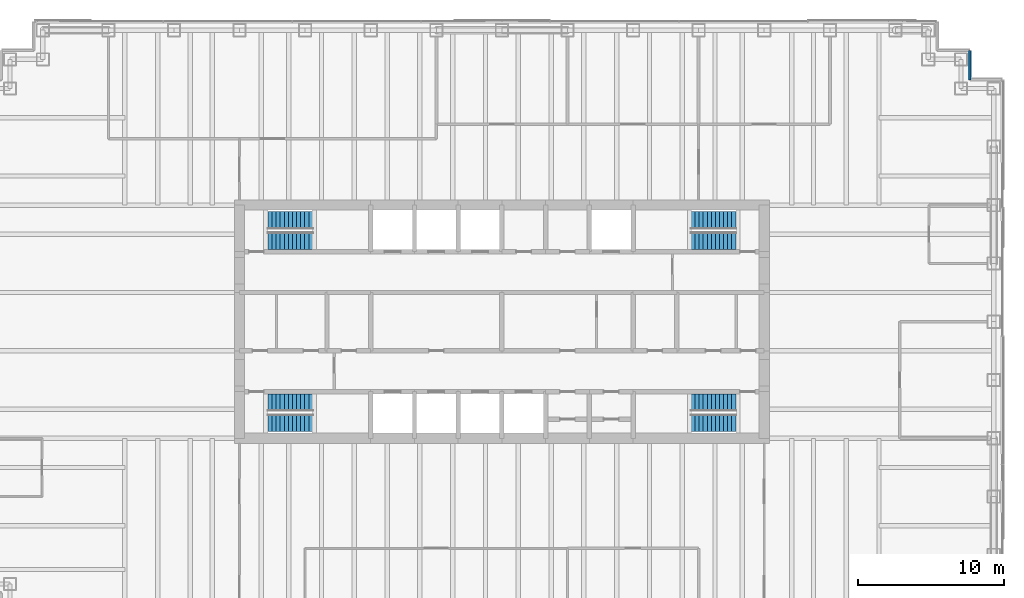
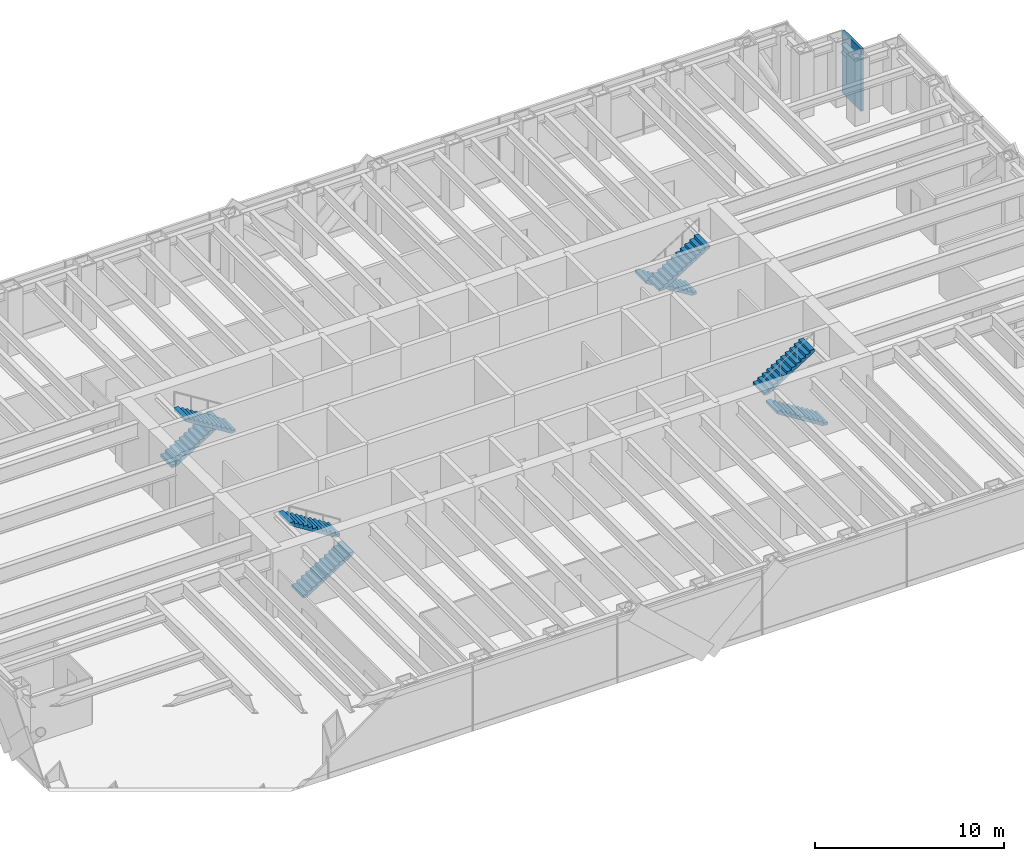
# One storey, part 16 of 17: 8 stair flights, 1 wall, 4 elements without a shape of their own.
"""IFC4 building model written with IfcOpenShell, lengths in metres."""

from ifc_helpers import new_model, si_unit, direction, frame, frame_2d, origin, place, context, subcontext, project, spatial, polyline, rectangle, outline, extrude, material, layer, layer_set, type_object, element, aggregate, save


model = new_model("IFC4")

# Units and contexts
model_context = context("Model", 3, precision=1e-05, world=origin(), true_north=direction((0.0, 1.0)))
body_context = subcontext(model_context, "Body", "Model", "MODEL_VIEW")
ifc_project = project(units=[si_unit("LENGTHUNIT", "METRE"), si_unit("AREAUNIT", "SQUARE_METRE"), si_unit("VOLUMEUNIT", "CUBIC_METRE"), si_unit("PLANEANGLEUNIT", "RADIAN"), si_unit("MASSUNIT", "GRAM", prefix="KILO")], contexts=[model_context])

# Site, building, storey
site_placement = place(None, origin())
site = spatial("IfcSite", under=ifc_project, at=site_placement, CompositionType="ELEMENT")
building_placement = place(site_placement, origin())
building = spatial("IfcBuilding", under=site, at=building_placement, Name="Rheinbord Bourse Tower", CompositionType="ELEMENT")
storey_placement = place(building_placement, frame((0.0, 0.0, 304.699951171875)))
storey = spatial("IfcBuildingStorey", under=building, at=storey_placement, Name="L69", CompositionType="ELEMENT", Elevation=304.699951171875)

# Wall
ifc_material_1 = material(Name="Black metal rainscreen panel", Category="aluminium")
ifc_layer = layer(ifc_material_1, 0.14990234375)
ifc_layer_set = layer_set([ifc_layer], Name="CORNER PIER CLADDING 150")
wall_type = type_object("IfcWallType", Name="CORNER PIER CLADDING 150", PredefinedType="ELEMENTEDWALL", material=ifc_layer_set)
wall_placement = place(storey_placement, frame((68.10009765625, 40.60009765625, 0.0), z_axis=(0.0, 0.0, 1.0), x_axis=(0.0, 1.0, 0.0)))
element("IfcWall", 1, at=wall_placement, inside=storey, type_object=wall_type, Name="Corner pier cladding L69 8", PredefinedType="ELEMENTEDWALL", context=body_context, shape_type="SweptSolid", body=[
    extrude(rectangle(XDim=2.0, YDim=0.14990234375, at=frame_2d((1.0, 0.0))), origin(), (0.0, 0.0, 1.0), 4.0400390625),
])

# Stair, stair flights
ifc_material_2 = material(Name="Concrete C30/37", Category="concrete")
stair_type = type_object("IfcStairType", Name="CORE STAIR HALF TURN 4200", PredefinedType="HALF_TURN_STAIR", material=ifc_material_2)
stair_1_placement = place(storey_placement, origin())
stair_1 = element("IfcStair", 2, at=stair_1_placement, inside=storey, type_object=stair_type, Name="Stair ST1 L69, type CS6", PredefinedType="HALF_TURN_STAIR")
ifc_material_3 = material(Name="Concrete C30/37", Category="concrete")
stair_flight_type = type_object("IfcStairFlightType", Name="CORE STAIR FLIGHT 1200, 12 RISERS", PredefinedType="STRAIGHT", material=ifc_material_3)
stair_flight_1_placement = place(storey_placement, frame((19.949951171875, 17.050048828125, 0.0), z_axis=(0.0, 0.0, 1.0), x_axis=(1.0, 0.0, 0.0)))
stair_flight_1 = element("IfcStairFlight", 3, at=stair_flight_1_placement, type_object=stair_flight_type, Name="STAIR L69 ST1 F1", NumberOfRisers=12, NumberOfTreads=11, PredefinedType="STRAIGHT", RiserHeight=0.175, TreadLength=0.28, context=body_context, shape_type="SweptSolid", body=[
    extrude(outline(polyline([(0.0, 0.0), (0.0, 0.175048828125), (0.280029296875, 0.175048828125), (0.280029296875, 0.35009765625), (0.56005859375, 0.35009765625), (0.56005859375, 0.52490234375), (0.840087890625, 0.52490234375), (0.840087890625, 0.699951171875), (1.1201171875, 0.699951171875), (1.1201171875, 0.875), (1.39990234375, 0.875), (1.39990234375, 1.050048828125), (1.679931640625, 1.050048828125), (1.679931640625, 1.22509765625), (1.9599609375, 1.22509765625), (1.9599609375, 1.39990234375), (2.239990234375, 1.39990234375), (2.239990234375, 1.574951171875), (2.52001953125, 1.574951171875), (2.52001953125, 1.75), (2.800048828125, 1.75), (2.800048828125, 1.925048828125), (3.080078125, 1.925048828125), (3.080078125, 2.10009765625), (3.080078125, 1.748291015625), (0.28271484375, 0.0), (0.0, 0.0)])), frame((0.0, 0.60009765625, 0.0), z_axis=(0.0, -1.0, 0.0), x_axis=(1.0, 0.0, 0.0)), (0.0, 0.0, 1.0), 1.199951171875),
])
stair_flight_2_placement = place(storey_placement, frame((23.030029296875, 18.449951171875, 2.10009765625), z_axis=(0.0, 0.0, 1.0), x_axis=(-1.0, 0.0, 0.0)))
stair_flight_2 = element("IfcStairFlight", 4, at=stair_flight_2_placement, type_object=stair_flight_type, Name="STAIR L69 ST1 F2", NumberOfRisers=12, NumberOfTreads=11, PredefinedType="STRAIGHT", RiserHeight=0.175, TreadLength=0.28, context=body_context, shape_type="SweptSolid", body=[
    extrude(outline(polyline([(0.0, 0.0), (0.0, 0.175048828125), (0.280029296875, 0.175048828125), (0.280029296875, 0.35009765625), (0.56005859375, 0.35009765625), (0.56005859375, 0.52490234375), (0.840087890625, 0.52490234375), (0.840087890625, 0.699951171875), (1.1201171875, 0.699951171875), (1.1201171875, 0.875), (1.39990234375, 0.875), (1.39990234375, 1.050048828125), (1.679931640625, 1.050048828125), (1.679931640625, 1.22509765625), (1.9599609375, 1.22509765625), (1.9599609375, 1.39990234375), (2.239990234375, 1.39990234375), (2.239990234375, 1.574951171875), (2.52001953125, 1.574951171875), (2.52001953125, 1.75), (2.800048828125, 1.75), (2.800048828125, 1.925048828125), (3.080078125, 1.925048828125), (3.080078125, 2.10009765625), (3.080078125, 1.748291015625), (0.28271484375, 0.0), (0.0, 0.0)])), frame((0.0, 0.60009765625, 0.0), z_axis=(0.0, -1.0, 0.0), x_axis=(1.0, 0.0, 0.0)), (0.0, 0.0, 1.0), 1.199951171875),
])
aggregate(stair_1, [stair_flight_1, stair_flight_2])

stair_2_placement = place(storey_placement, origin())
stair_2 = element("IfcStair", 5, at=stair_2_placement, inside=storey, type_object=stair_type, Name="Stair ST2 L69, type CS6", PredefinedType="HALF_TURN_STAIR")
stair_flight_3_placement = place(storey_placement, frame((19.949951171875, 30.949951171875, 0.0), z_axis=(0.0, 0.0, 1.0), x_axis=(1.0, 0.0, 0.0)))
stair_flight_3 = element("IfcStairFlight", 6, at=stair_flight_3_placement, type_object=stair_flight_type, Name="STAIR L69 ST2 F1", NumberOfRisers=12, NumberOfTreads=11, PredefinedType="STRAIGHT", RiserHeight=0.175, TreadLength=0.28, context=body_context, shape_type="SweptSolid", body=[
    extrude(outline(polyline([(0.0, 0.0), (0.0, 0.175048828125), (0.280029296875, 0.175048828125), (0.280029296875, 0.35009765625), (0.56005859375, 0.35009765625), (0.56005859375, 0.52490234375), (0.840087890625, 0.52490234375), (0.840087890625, 0.699951171875), (1.1201171875, 0.699951171875), (1.1201171875, 0.875), (1.39990234375, 0.875), (1.39990234375, 1.050048828125), (1.679931640625, 1.050048828125), (1.679931640625, 1.22509765625), (1.9599609375, 1.22509765625), (1.9599609375, 1.39990234375), (2.239990234375, 1.39990234375), (2.239990234375, 1.574951171875), (2.52001953125, 1.574951171875), (2.52001953125, 1.75), (2.800048828125, 1.75), (2.800048828125, 1.925048828125), (3.080078125, 1.925048828125), (3.080078125, 2.10009765625), (3.080078125, 1.748291015625), (0.28271484375, 0.0), (0.0, 0.0)])), frame((0.0, 0.60009765625, 0.0), z_axis=(0.0, -1.0, 0.0), x_axis=(1.0, 0.0, 0.0)), (0.0, 0.0, 1.0), 1.199951171875),
])
stair_flight_4_placement = place(storey_placement, frame((23.030029296875, 29.550048828125, 2.10009765625), z_axis=(0.0, 0.0, 1.0), x_axis=(-1.0, 0.0, 0.0)))
stair_flight_4 = element("IfcStairFlight", 7, at=stair_flight_4_placement, type_object=stair_flight_type, Name="STAIR L69 ST2 F2", NumberOfRisers=12, NumberOfTreads=11, PredefinedType="STRAIGHT", RiserHeight=0.175, TreadLength=0.28, context=body_context, shape_type="SweptSolid", body=[
    extrude(outline(polyline([(0.0, 0.0), (0.0, 0.175048828125), (0.280029296875, 0.175048828125), (0.280029296875, 0.35009765625), (0.56005859375, 0.35009765625), (0.56005859375, 0.52490234375), (0.840087890625, 0.52490234375), (0.840087890625, 0.699951171875), (1.1201171875, 0.699951171875), (1.1201171875, 0.875), (1.39990234375, 0.875), (1.39990234375, 1.050048828125), (1.679931640625, 1.050048828125), (1.679931640625, 1.22509765625), (1.9599609375, 1.22509765625), (1.9599609375, 1.39990234375), (2.239990234375, 1.39990234375), (2.239990234375, 1.574951171875), (2.52001953125, 1.574951171875), (2.52001953125, 1.75), (2.800048828125, 1.75), (2.800048828125, 1.925048828125), (3.080078125, 1.925048828125), (3.080078125, 2.10009765625), (3.080078125, 1.748291015625), (0.28271484375, 0.0), (0.0, 0.0)])), frame((0.0, 0.60009765625, 0.0), z_axis=(0.0, -1.0, 0.0), x_axis=(1.0, 0.0, 0.0)), (0.0, 0.0, 1.0), 1.199951171875),
])
aggregate(stair_2, [stair_flight_3, stair_flight_4])

stair_3_placement = place(storey_placement, origin())
stair_3 = element("IfcStair", 8, at=stair_3_placement, inside=storey, type_object=stair_type, Name="Stair ST3 L69, type CS6", PredefinedType="HALF_TURN_STAIR")
stair_flight_5_placement = place(storey_placement, frame((52.050048828125, 17.050048828125, 0.0), z_axis=(0.0, 0.0, 1.0), x_axis=(-1.0, 0.0, 0.0)))
stair_flight_5 = element("IfcStairFlight", 9, at=stair_flight_5_placement, type_object=stair_flight_type, Name="STAIR L69 ST3 F1", NumberOfRisers=12, NumberOfTreads=11, PredefinedType="STRAIGHT", RiserHeight=0.175, TreadLength=0.28, context=body_context, shape_type="SweptSolid", body=[
    extrude(outline(polyline([(0.0, 0.0), (0.0, 0.175048828125), (0.280029296875, 0.175048828125), (0.280029296875, 0.35009765625), (0.56005859375, 0.35009765625), (0.56005859375, 0.52490234375), (0.840087890625, 0.52490234375), (0.840087890625, 0.699951171875), (1.1201171875, 0.699951171875), (1.1201171875, 0.875), (1.39990234375, 0.875), (1.39990234375, 1.050048828125), (1.679931640625, 1.050048828125), (1.679931640625, 1.22509765625), (1.9599609375, 1.22509765625), (1.9599609375, 1.39990234375), (2.239990234375, 1.39990234375), (2.239990234375, 1.574951171875), (2.52001953125, 1.574951171875), (2.52001953125, 1.75), (2.800048828125, 1.75), (2.800048828125, 1.925048828125), (3.080078125, 1.925048828125), (3.080078125, 2.10009765625), (3.080078125, 1.748291015625), (0.28271484375, 0.0), (0.0, 0.0)])), frame((0.0, 0.60009765625, 0.0), z_axis=(0.0, -1.0, 0.0), x_axis=(1.0, 0.0, 0.0)), (0.0, 0.0, 1.0), 1.199951171875),
])
stair_flight_6_placement = place(storey_placement, frame((48.969970703125, 18.449951171875, 2.10009765625), z_axis=(0.0, 0.0, 1.0), x_axis=(1.0, 0.0, 0.0)))
stair_flight_6 = element("IfcStairFlight", 10, at=stair_flight_6_placement, type_object=stair_flight_type, Name="STAIR L69 ST3 F2", NumberOfRisers=12, NumberOfTreads=11, PredefinedType="STRAIGHT", RiserHeight=0.175, TreadLength=0.28, context=body_context, shape_type="SweptSolid", body=[
    extrude(outline(polyline([(0.0, 0.0), (0.0, 0.175048828125), (0.280029296875, 0.175048828125), (0.280029296875, 0.35009765625), (0.56005859375, 0.35009765625), (0.56005859375, 0.52490234375), (0.840087890625, 0.52490234375), (0.840087890625, 0.699951171875), (1.1201171875, 0.699951171875), (1.1201171875, 0.875), (1.39990234375, 0.875), (1.39990234375, 1.050048828125), (1.679931640625, 1.050048828125), (1.679931640625, 1.22509765625), (1.9599609375, 1.22509765625), (1.9599609375, 1.39990234375), (2.239990234375, 1.39990234375), (2.239990234375, 1.574951171875), (2.52001953125, 1.574951171875), (2.52001953125, 1.75), (2.800048828125, 1.75), (2.800048828125, 1.925048828125), (3.080078125, 1.925048828125), (3.080078125, 2.10009765625), (3.080078125, 1.748291015625), (0.28271484375, 0.0), (0.0, 0.0)])), frame((0.0, 0.60009765625, 0.0), z_axis=(0.0, -1.0, 0.0), x_axis=(1.0, 0.0, 0.0)), (0.0, 0.0, 1.0), 1.199951171875),
])
aggregate(stair_3, [stair_flight_5, stair_flight_6])

stair_4_placement = place(storey_placement, origin())
stair_4 = element("IfcStair", 11, at=stair_4_placement, inside=storey, type_object=stair_type, Name="Stair ST4 L69, type CS6", PredefinedType="HALF_TURN_STAIR")
stair_flight_7_placement = place(storey_placement, frame((52.050048828125, 30.949951171875, 0.0), z_axis=(0.0, 0.0, 1.0), x_axis=(-1.0, 0.0, 0.0)))
stair_flight_7 = element("IfcStairFlight", 12, at=stair_flight_7_placement, type_object=stair_flight_type, Name="STAIR L69 ST4 F1", NumberOfRisers=12, NumberOfTreads=11, PredefinedType="STRAIGHT", RiserHeight=0.175, TreadLength=0.28, context=body_context, shape_type="SweptSolid", body=[
    extrude(outline(polyline([(0.0, 0.0), (0.0, 0.175048828125), (0.280029296875, 0.175048828125), (0.280029296875, 0.35009765625), (0.56005859375, 0.35009765625), (0.56005859375, 0.52490234375), (0.840087890625, 0.52490234375), (0.840087890625, 0.699951171875), (1.1201171875, 0.699951171875), (1.1201171875, 0.875), (1.39990234375, 0.875), (1.39990234375, 1.050048828125), (1.679931640625, 1.050048828125), (1.679931640625, 1.22509765625), (1.9599609375, 1.22509765625), (1.9599609375, 1.39990234375), (2.239990234375, 1.39990234375), (2.239990234375, 1.574951171875), (2.52001953125, 1.574951171875), (2.52001953125, 1.75), (2.800048828125, 1.75), (2.800048828125, 1.925048828125), (3.080078125, 1.925048828125), (3.080078125, 2.10009765625), (3.080078125, 1.748291015625), (0.28271484375, 0.0), (0.0, 0.0)])), frame((0.0, 0.60009765625, 0.0), z_axis=(0.0, -1.0, 0.0), x_axis=(1.0, 0.0, 0.0)), (0.0, 0.0, 1.0), 1.199951171875),
])
stair_flight_8_placement = place(storey_placement, frame((48.969970703125, 29.550048828125, 2.10009765625), z_axis=(0.0, 0.0, 1.0), x_axis=(1.0, 0.0, 0.0)))
stair_flight_8 = element("IfcStairFlight", 13, at=stair_flight_8_placement, type_object=stair_flight_type, Name="STAIR L69 ST4 F2", NumberOfRisers=12, NumberOfTreads=11, PredefinedType="STRAIGHT", RiserHeight=0.175, TreadLength=0.28, context=body_context, shape_type="SweptSolid", body=[
    extrude(outline(polyline([(0.0, 0.0), (0.0, 0.175048828125), (0.280029296875, 0.175048828125), (0.280029296875, 0.35009765625), (0.56005859375, 0.35009765625), (0.56005859375, 0.52490234375), (0.840087890625, 0.52490234375), (0.840087890625, 0.699951171875), (1.1201171875, 0.699951171875), (1.1201171875, 0.875), (1.39990234375, 0.875), (1.39990234375, 1.050048828125), (1.679931640625, 1.050048828125), (1.679931640625, 1.22509765625), (1.9599609375, 1.22509765625), (1.9599609375, 1.39990234375), (2.239990234375, 1.39990234375), (2.239990234375, 1.574951171875), (2.52001953125, 1.574951171875), (2.52001953125, 1.75), (2.800048828125, 1.75), (2.800048828125, 1.925048828125), (3.080078125, 1.925048828125), (3.080078125, 2.10009765625), (3.080078125, 1.748291015625), (0.28271484375, 0.0), (0.0, 0.0)])), frame((0.0, 0.60009765625, 0.0), z_axis=(0.0, -1.0, 0.0), x_axis=(1.0, 0.0, 0.0)), (0.0, 0.0, 1.0), 1.199951171875),
])
aggregate(stair_4, [stair_flight_7, stair_flight_8])

save(model, "model.ifc")
